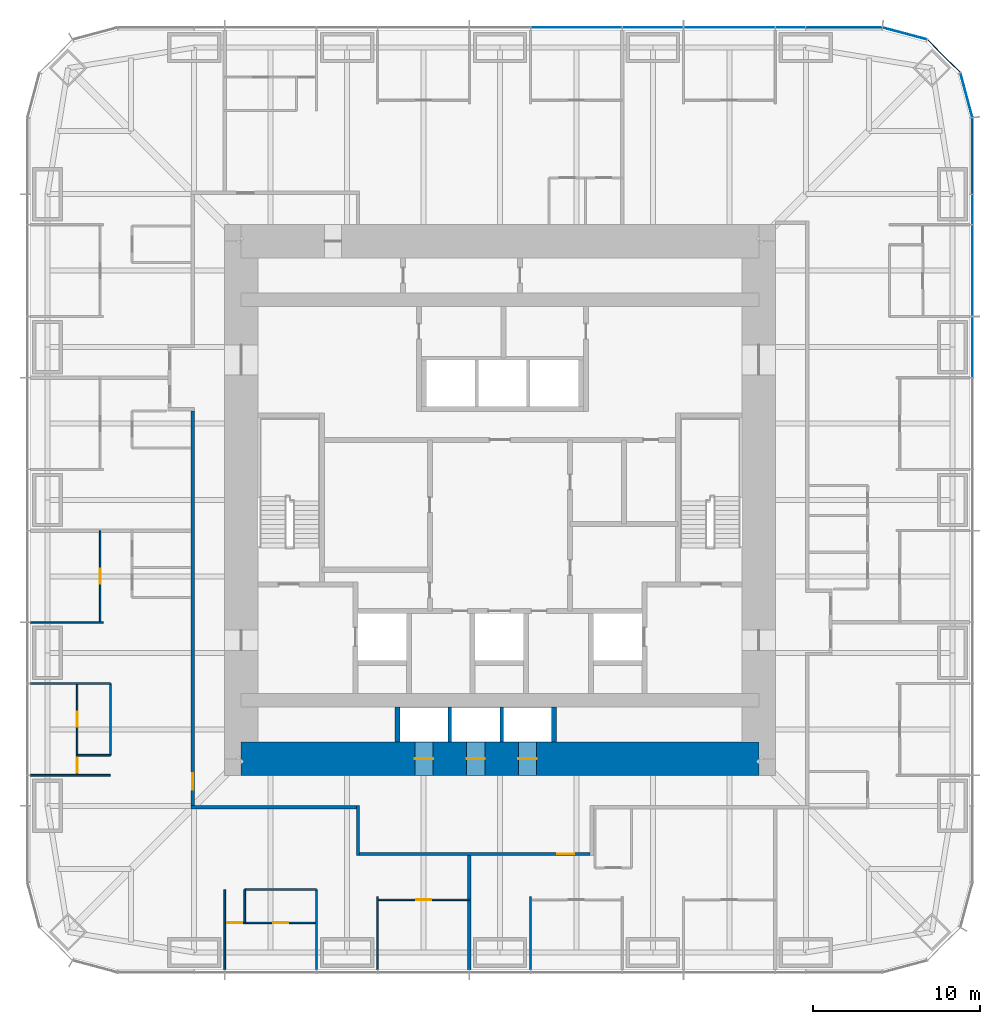
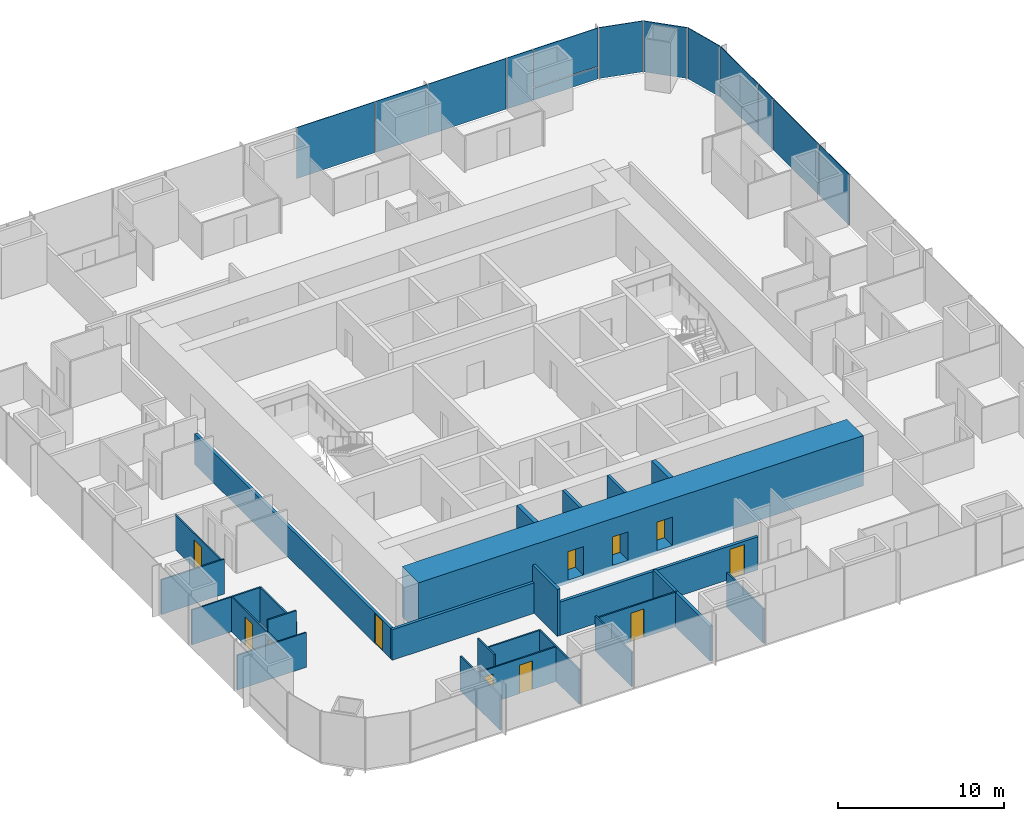
# One storey, part 7 of 12: 25 walls, 14 plates, 11 doors, 11 openings, 3 elements without a shape of their own.
"""IFC4 building model written with IfcOpenShell, lengths in metres."""

from ifc_helpers import new_model, si_unit, direction, frame, frame_2d, origin, origin_2d, place, context, subcontext, project, spatial, rectangle, extrude, material, layer, layer_set, type_object, element, fill, aggregate, save


model = new_model("IFC4")

# Units and contexts
model_context = context("Model", 3, precision=1e-05, world=origin(), true_north=direction((0.0, 1.0)))
body_context = subcontext(model_context, "Body", "Model", "MODEL_VIEW")
ifc_project = project(units=[si_unit("LENGTHUNIT", "METRE"), si_unit("AREAUNIT", "SQUARE_METRE"), si_unit("VOLUMEUNIT", "CUBIC_METRE"), si_unit("PLANEANGLEUNIT", "RADIAN"), si_unit("MASSUNIT", "GRAM", prefix="KILO")], contexts=[model_context])

# Site, building, storey
site_placement = place(None, origin())
site = spatial("IfcSite", under=ifc_project, at=site_placement, CompositionType="ELEMENT")
building_placement = place(site_placement, origin())
building = spatial("IfcBuilding", under=site, at=building_placement, Name="Khuree Lantern Residences", CompositionType="ELEMENT")
storey_placement = place(building_placement, frame((0.0, 0.0, 182.25)))
storey = spatial("IfcBuildingStorey", under=building, at=storey_placement, Name="L46", CompositionType="ELEMENT", Elevation=182.25)

# Curtain wall, plates
ifc_material_1 = material(Name="Bronze anodised aluminium", Category="aluminium")
curtain_wall_type_1 = type_object("IfcCurtainWallType", Name="CW-T2 TOWER CORNER CURTAIN WALL", PredefinedType="USERDEFINED", material=ifc_material_1)
curtain_wall_1_placement = place(storey_placement, origin())
curtain_wall_1 = element("IfcCurtainWall", 1, at=curtain_wall_1_placement, inside=storey, type_object=curtain_wall_type_1, Name="L46 NORTH-EAST CORNER CURTAIN WALL", ObjectType="Faceted corner curtain wall", PredefinedType="USERDEFINED")
ifc_material_2 = material(Name="Bronze tinted triple glazing", Category="glass")
ifc_layer_1 = layer(ifc_material_2, 0.048095703125)
ifc_layer_set_1 = layer_set([ifc_layer_1], Name="FACET PANEL P4")
plate_type_1 = type_object("IfcPlateType", Name="FACET PANEL P4", PredefinedType="CURTAIN_PANEL", material=ifc_layer_set_1)
plate_1_placement = place(storey_placement, frame((27.938720703125, 24.248046875, 0.0), z_axis=(0.0, 0.0, 1.0), x_axis=(-0.258819105321, 0.965925810153, 0.0)))
plate_1 = element("IfcPlate", 2, at=plate_1_placement, type_object=plate_type_1, Name="L46 NORTH-EAST CORNER PANEL 15.1", PredefinedType="CURTAIN_PANEL", context=body_context, shape_type="SweptSolid", body=[
    extrude(rectangle(XDim=2.71923828125, YDim=0.048095703125, at=origin_2d()), origin(), (0.0, 0.0, 1.0), 3.75),
])
plate_2_placement = place(storey_placement, frame((26.58837890625, 26.58837890625, 0.0), z_axis=(0.0, 0.0, 1.0), x_axis=(-0.707106781187, 0.707106781187, 0.0)))
plate_2 = element("IfcPlate", 3, at=plate_2_placement, type_object=plate_type_1, Name="L46 NORTH-EAST CORNER PANEL 16.1", PredefinedType="CURTAIN_PANEL", context=body_context, shape_type="SweptSolid", body=[
    extrude(rectangle(XDim=2.715087890625, YDim=0.048095703125, at=origin_2d()), origin(), (0.0, 0.0, 1.0), 3.75),
])
plate_3_placement = place(storey_placement, frame((24.248046875, 27.938720703125, 0.0), z_axis=(0.0, 0.0, 1.0), x_axis=(-0.965925810153, 0.258819105321, 0.0)))
plate_3 = element("IfcPlate", 4, at=plate_3_placement, type_object=plate_type_1, Name="L46 NORTH-EAST CORNER PANEL 17.1", PredefinedType="CURTAIN_PANEL", context=body_context, shape_type="SweptSolid", body=[
    extrude(rectangle(XDim=2.71923828125, YDim=0.048095703125, at=origin_2d()), origin(), (0.0, 0.0, 1.0), 3.75),
])
aggregate(curtain_wall_1, [plate_1, plate_2, plate_3])

# Curtain wall, plate
curtain_wall_type_2 = type_object("IfcCurtainWallType", Name="CW-T1 TOWER FACE CURTAIN WALL", PredefinedType="USERDEFINED", material=ifc_material_1)
curtain_wall_2_placement = place(storey_placement, origin())
curtain_wall_2 = element("IfcCurtainWall", 5, at=curtain_wall_2_placement, inside=storey, type_object=curtain_wall_type_2, Name="L46 EAST FACE CURTAIN WALL", ObjectType="Stick-built curtain wall", PredefinedType="USERDEFINED")
ifc_material_3 = material(Name="Bronze tinted triple glazing with a ceramic-fritted spandrel band", Category="glass")
ifc_layer_2 = layer(ifc_material_3, 0.048095703125)
ifc_layer_set_2 = layer_set([ifc_layer_2], Name="FIXED LIGHT PANEL P11")
plate_type_2 = type_object("IfcPlateType", Name="FIXED LIGHT PANEL P11", PredefinedType="CURTAIN_PANEL", material=ifc_layer_set_2)
plate_4_placement = place(storey_placement, frame((28.300048828125, 13.739990234375, 0.0), z_axis=(0.0, 0.0, 1.0), x_axis=(0.0, 1.0, 0.0)))
plate_4 = element("IfcPlate", 6, at=plate_4_placement, type_object=plate_type_2, Name="L46 EAST FACE PANEL 12.1", PredefinedType="CURTAIN_PANEL", context=body_context, shape_type="SweptSolid", body=[
    extrude(rectangle(XDim=5.430908203125, YDim=0.048095703125, at=origin_2d()), origin(), (0.0, 0.0, 1.0), 3.75),
])

# Curtain wall, plates
curtain_wall_3_placement = place(storey_placement, origin())
curtain_wall_3 = element("IfcCurtainWall", 7, at=curtain_wall_3_placement, inside=storey, type_object=curtain_wall_type_2, Name="L46 NORTH FACE CURTAIN WALL", ObjectType="Stick-built curtain wall", PredefinedType="USERDEFINED")
plate_5_placement = place(storey_placement, frame((13.739990234375, 28.300048828125, 0.0), z_axis=(0.0, 0.0, 1.0), x_axis=(-1.0, 0.0, 0.0)))
plate_5 = element("IfcPlate", 8, at=plate_5_placement, type_object=plate_type_2, Name="L46 NORTH FACE PANEL 20.1", PredefinedType="CURTAIN_PANEL", context=body_context, shape_type="SweptSolid", body=[
    extrude(rectangle(XDim=5.430908203125, YDim=0.048095703125, at=origin_2d()), origin(), (0.0, 0.0, 1.0), 3.75),
])
plate_6_placement = place(storey_placement, frame((4.580078125, 28.300048828125, 0.0), z_axis=(0.0, 0.0, 1.0), x_axis=(-1.0, 0.0, 0.0)))
plate_6 = element("IfcPlate", 9, at=plate_6_placement, type_object=plate_type_2, Name="L46 NORTH FACE PANEL 22.1", PredefinedType="CURTAIN_PANEL", context=body_context, shape_type="SweptSolid", body=[
    extrude(rectangle(XDim=5.430908203125, YDim=0.048095703125, at=origin_2d()), origin(), (0.0, 0.0, 1.0), 3.75),
])

# Plate
ifc_material_4 = material(Name="Bronze tinted triple glazing, two aluminium-framed sashes in one frame", Category="aluminium")
ifc_layer_3 = layer(ifc_material_4, 0.048095703125)
ifc_layer_set_3 = layer_set([ifc_layer_3], Name="SASH PAIR PANEL P12")
plate_type_3 = type_object("IfcPlateType", Name="SASH PAIR PANEL P12", PredefinedType="CURTAIN_PANEL", material=ifc_layer_set_3)
plate_7_placement = place(storey_placement, frame((28.300048828125, 9.159912109375, 0.0), z_axis=(0.0, 0.0, 1.0), x_axis=(0.0, 1.0, 0.0)))
plate_7 = element("IfcPlate", 10, at=plate_7_placement, type_object=plate_type_3, Name="L46 EAST FACE PANEL 11.1", PredefinedType="CURTAIN_PANEL", context=body_context, shape_type="SweptSolid", body=[
    extrude(rectangle(XDim=3.59912109375, YDim=0.048095703125, at=origin_2d()), origin(), (0.0, 0.0, 1.0), 3.75),
])

plate_8_placement = place(storey_placement, frame((9.159912109375, 28.300048828125, 0.0), z_axis=(0.0, 0.0, 1.0), x_axis=(-1.0, 0.0, 0.0)))
plate_8 = element("IfcPlate", 11, at=plate_8_placement, type_object=plate_type_3, Name="L46 NORTH FACE PANEL 21.1", PredefinedType="CURTAIN_PANEL", context=body_context, shape_type="SweptSolid", body=[
    extrude(rectangle(XDim=3.59912109375, YDim=0.048095703125, at=origin_2d()), origin(), (0.0, 0.0, 1.0), 3.75),
])

ifc_material_5 = material(Name="Bronze tinted triple glazing, aluminium-framed sash", Category="aluminium")
ifc_layer_4 = layer(ifc_material_5, 0.048095703125)
ifc_layer_set_4 = layer_set([ifc_layer_4], Name="SASH PANEL P3")
plate_type_4 = type_object("IfcPlateType", Name="SASH PANEL P3", PredefinedType="CURTAIN_PANEL", material=ifc_layer_set_4)
plate_9_placement = place(storey_placement, frame((28.300048828125, 17.404052734375, 0.0), z_axis=(0.0, 0.0, 1.0), x_axis=(0.0, 1.0, 0.0)))
plate_9 = element("IfcPlate", 12, at=plate_9_placement, type_object=plate_type_4, Name="L46 EAST FACE PANEL 13.1", PredefinedType="CURTAIN_PANEL", context=body_context, shape_type="SweptSolid", body=[
    extrude(rectangle(XDim=1.76708984375, YDim=0.048095703125, at=origin_2d()), origin(), (0.0, 0.0, 1.0), 3.75),
])

plate_10_placement = place(storey_placement, frame((17.404052734375, 28.300048828125, 0.0), z_axis=(0.0, 0.0, 1.0), x_axis=(-1.0, 0.0, 0.0)))
plate_10 = element("IfcPlate", 13, at=plate_10_placement, type_object=plate_type_4, Name="L46 NORTH FACE PANEL 19.1", PredefinedType="CURTAIN_PANEL", context=body_context, shape_type="SweptSolid", body=[
    extrude(rectangle(XDim=1.76708984375, YDim=0.048095703125, at=origin_2d()), origin(), (0.0, 0.0, 1.0), 3.75),
])

ifc_material_6 = material(Name="Bronze anodised aluminium insulated spandrel", Category="aluminium")
ifc_layer_5 = layer(ifc_material_6, 0.06005859375)
ifc_layer_set_5 = layer_set([ifc_layer_5], Name="SPANDREL PANEL P2")
plate_type_5 = type_object("IfcPlateType", Name="SPANDREL PANEL P2", PredefinedType="CURTAIN_PANEL", material=ifc_layer_set_5)
plate_11_placement = place(storey_placement, frame((28.300048828125, 20.60791015625, 0.0), z_axis=(0.0, 0.0, 1.0), x_axis=(0.0, 1.0, 0.0)))
plate_11 = element("IfcPlate", 14, at=plate_11_placement, type_object=plate_type_5, Name="L46 EAST FACE PANEL 14.1", PredefinedType="CURTAIN_PANEL", context=body_context, shape_type="SweptSolid", body=[
    extrude(rectangle(XDim=4.5107421875, YDim=0.06005859375, at=origin_2d()), origin(), (0.0, 0.0, 1.0), 0.867431640625),
])

plate_12_placement = place(storey_placement, frame((20.60791015625, 28.300048828125, 0.0), z_axis=(0.0, 0.0, 1.0), x_axis=(-1.0, 0.0, 0.0)))
plate_12 = element("IfcPlate", 15, at=plate_12_placement, type_object=plate_type_5, Name="L46 NORTH FACE PANEL 18.1", PredefinedType="CURTAIN_PANEL", context=body_context, shape_type="SweptSolid", body=[
    extrude(rectangle(XDim=4.5107421875, YDim=0.06005859375, at=origin_2d()), origin(), (0.0, 0.0, 1.0), 0.867431640625),
])

ifc_layer_6 = layer(ifc_material_2, 0.048095703125)
ifc_layer_set_6 = layer_set([ifc_layer_6], Name="VISION PANEL P1")
plate_type_6 = type_object("IfcPlateType", Name="VISION PANEL P1", PredefinedType="CURTAIN_PANEL", material=ifc_layer_set_6)
plate_13_placement = place(storey_placement, frame((28.300048828125, 20.6083984375, 0.9326171875), z_axis=(0.0, 0.0, 1.0), x_axis=(0.0, 1.0, 0.0)))
plate_13 = element("IfcPlate", 16, at=plate_13_placement, type_object=plate_type_6, Name="L46 EAST FACE PANEL 14.2", PredefinedType="CURTAIN_PANEL", context=body_context, shape_type="SweptSolid", body=[
    extrude(rectangle(XDim=4.511474609375, YDim=0.048095703125, at=origin_2d()), origin(), (0.0, 0.0, 1.0), 2.8173828125),
])

aggregate(curtain_wall_2, [plate_7, plate_4, plate_9, plate_11, plate_13])

plate_14_placement = place(storey_placement, frame((20.6083984375, 28.300048828125, 0.9326171875), z_axis=(0.0, 0.0, 1.0), x_axis=(-1.0, 0.0, 0.0)))
plate_14 = element("IfcPlate", 17, at=plate_14_placement, type_object=plate_type_6, Name="L46 NORTH FACE PANEL 18.2", PredefinedType="CURTAIN_PANEL", context=body_context, shape_type="SweptSolid", body=[
    extrude(rectangle(XDim=4.511474609375, YDim=0.048095703125, at=origin_2d()), origin(), (0.0, 0.0, 1.0), 2.8173828125),
])

aggregate(curtain_wall_3, [plate_12, plate_14, plate_10, plate_5, plate_8, plate_6])

# Walls
ifc_material_7 = material(Name="Moisture-resistant gypsum board on steel studs", Category="steel")
ifc_layer_7 = layer(ifc_material_7, 0.125)
ifc_layer_set_7 = layer_set([ifc_layer_7], Name="BATHROOM WALL BTW125")
wall_type_1 = type_object("IfcWallType", Name="BATHROOM WALL BTW125", PredefinedType="PARTITIONING", material=ifc_layer_set_7)
wall_1_placement = place(storey_placement, frame((-23.329833984375, -10.991943359375, 0.0), z_axis=(0.0, 0.0, 1.0), x_axis=(0.0, -1.0, 0.0)))
element("IfcWall", 18, at=wall_1_placement, inside=storey, type_object=wall_type_1, Name="L46 BATHROOM WALL 05", PredefinedType="PARTITIONING", context=body_context, shape_type="SweptSolid", body=[
    extrude(rectangle(XDim=4.296142578125, YDim=0.125, at=frame_2d((2.14794921875, 0.0))), origin(), (0.0, 0.0, 1.0), 2.56005859375),
])
ifc_material_8 = material(Name="Dense concrete blockwork", Category="masonry")
ifc_layer_8 = layer(ifc_material_8, 0.300048828125)
ifc_layer_set_8 = layer_set([ifc_layer_8], Name="CORE PARTITION WALL CPW300 EI 120")
wall_type_2 = type_object("IfcWallType", Name="CORE PARTITION WALL CPW300 EI 120", PredefinedType="PARTITIONING", material=ifc_layer_set_8)
for number, where, z_axis, x_axis, name in (
    (19, (-6.14990234375, -14.5, 0.0), (0.0, 0.0, 1.0), (0.0, 1.0, 0.0), "L46 CORE WALL PMW"),
    (20, (3.25, -14.5, 0.0), (0.0, 0.0, 1.0), (0.0, 1.0, 0.0), "L46 CORE WALL PME"),
):
    element("IfcWall", number, at=place(storey_placement, frame(where, z_axis=z_axis, x_axis=x_axis)), inside=storey, type_object=wall_type_2, Name=name, PredefinedType="PARTITIONING", context=body_context, shape_type="SweptSolid", body=[
        extrude(rectangle(XDim=2.10009765625, YDim=0.300048828125, at=frame_2d((1.050048828125, 0.0))), origin(), (0.0, 0.0, 1.0), 3.449951171875),
    ])

# Wall, opening, door
ifc_material_9 = material(Name="Gypsum board on steel studs", Category="steel")
ifc_layer_9 = layer(ifc_material_9, 0.199951171875)
ifc_layer_set_9 = layer_set([ifc_layer_9], Name="CORRIDOR WALL CRW200 EI 60")
wall_type_3 = type_object("IfcWallType", Name="CORRIDOR WALL CRW200 EI 60", PredefinedType="PARTITIONING", material=ifc_layer_set_9)
wall_2_placement = place(storey_placement, frame((-18.39990234375, 5.327880859375, 0.0), z_axis=(0.0, 0.0, 1.0), x_axis=(0.0, -1.0, 0.0)))
wall_2 = element("IfcWall", 21, at=wall_2_placement, inside=storey, type_object=wall_type_3, Name="L46 CORRIDOR WALL WEST 2", PredefinedType="PARTITIONING", context=body_context, shape_type="SweptSolid", body=[
    extrude(rectangle(XDim=23.6279296875, YDim=0.199951171875, at=frame_2d((11.81396484375, 0.0))), origin(), (0.0, 0.0, 1.0), 2.25),
])
opening_1_placement = place(wall_2_placement, frame((21.679931640625, 0.0, 0.0)))
opening_1 = element("IfcOpeningElement", 22, at=opening_1_placement, cuts=wall_2, Name="Opening 46-056", PredefinedType="OPENING", context=body_context, shape_type="SweptSolid", body=[
    extrude(rectangle(XDim=1.0, YDim=2.199951171875, at=frame_2d((0.5, 1.10009765625))), frame((0.0, 0.10986328125, 0.0), z_axis=(0.0, -1.0, 0.0), x_axis=(1.0, 0.0, 0.0)), (0.0, 0.0, 1.0), 0.219970703125),
])
ifc_material_10 = material(Name="Timber door leaf in hardwood frame", Category="wood")
door_type_1 = type_object("IfcDoorType", Name="APARTMENT ENTRANCE DOOR 1000X2200 EI 30S RIGHT HAND", OperationType="SINGLE_SWING_RIGHT", PredefinedType="DOOR", material=ifc_material_10)
door_1_placement = place(opening_1_placement, origin())
door_1 = element("IfcDoor", 23, at=door_1_placement, inside=storey, type_object=door_type_1, Name="Apartment 05 entrance door 46-056", OperationType="SINGLE_SWING_RIGHT", OverallHeight=2.199951171875, OverallWidth=1.0, PredefinedType="DOOR", context=body_context, shape_type="SweptSolid", body=[
    extrude(rectangle(XDim=1.0, YDim=2.199951171875, at=frame_2d((0.5, 1.10009765625))), frame((0.0, 0.02490234375, 0.0), z_axis=(0.0, -1.0, 0.0), x_axis=(1.0, 0.0, 0.0)), (0.0, 0.0, 1.0), 0.050048828125),
])
fill(opening_1, door_1)

# Wall
wall_3_placement = place(storey_placement, frame((-8.5, -18.300048828125, 0.0), z_axis=(0.0, 0.0, 1.0), x_axis=(0.0, -1.0, 0.0)))
element("IfcWall", 24, at=wall_3_placement, inside=storey, type_object=wall_type_3, Name="L46 LIFT LOBBY WALL", PredefinedType="PARTITIONING", context=body_context, shape_type="SweptSolid", body=[
    extrude(rectangle(XDim=3.0, YDim=0.199951171875, at=frame_2d((1.5, 0.0))), origin(), (0.0, 0.0, 1.0), 3.449951171875),
])

# Wall, opening, door
wall_4_placement = place(storey_placement, frame((5.39990234375, -21.199951171875, 0.0), z_axis=(0.0, 0.0, 1.0), x_axis=(-1.0, 0.0, 0.0)))
wall_4 = element("IfcWall", 25, at=wall_4_placement, inside=storey, type_object=wall_type_3, Name="L46 LIFT LOBBY WALL", PredefinedType="PARTITIONING", context=body_context, shape_type="SweptSolid", body=[
    extrude(rectangle(XDim=13.7998046875, YDim=0.199951171875, at=frame_2d((6.89990234375, 0.0))), origin(), (0.0, 0.0, 1.0), 2.449951171875),
])
opening_2_placement = place(wall_4_placement, frame((0.9619140625, 0.0, 0.0)))
opening_2 = element("IfcOpeningElement", 26, at=opening_2_placement, cuts=wall_4, Name="Opening 46-060", PredefinedType="OPENING", context=body_context, shape_type="SweptSolid", body=[
    extrude(rectangle(XDim=1.0, YDim=2.199951171875, at=frame_2d((0.5, 1.10009765625))), frame((0.0, 0.10986328125, 0.0), z_axis=(0.0, -1.0, 0.0), x_axis=(1.0, 0.0, 0.0)), (0.0, 0.0, 1.0), 0.219970703125),
])
door_type_2 = type_object("IfcDoorType", Name="APARTMENT ENTRANCE DOOR 1000X2200 EI 30S", OperationType="SINGLE_SWING_LEFT", PredefinedType="DOOR", material=ifc_material_10)
door_2_placement = place(opening_2_placement, origin())
door_2 = element("IfcDoor", 27, at=door_2_placement, inside=storey, type_object=door_type_2, Name="Apartment 06 entrance door 46-060", OperationType="SINGLE_SWING_LEFT", OverallHeight=2.199951171875, OverallWidth=1.0, PredefinedType="DOOR", context=body_context, shape_type="SweptSolid", body=[
    extrude(rectangle(XDim=1.0, YDim=2.199951171875, at=frame_2d((0.5, 1.10009765625))), frame((0.0, 0.02490234375, 0.0), z_axis=(0.0, -1.0, 0.0), x_axis=(1.0, 0.0, 0.0)), (0.0, 0.0, 1.0), 0.050048828125),
])
fill(opening_2, door_2)

# Wall
wall_5_placement = place(storey_placement, frame((-8.60009765625, -18.39990234375, 0.0), z_axis=(0.0, 0.0, 1.0), x_axis=(-1.0, 0.0, 0.0)))
element("IfcWall", 28, at=wall_5_placement, inside=storey, type_object=wall_type_3, Name="L46 CORRIDOR WALL SOUTH 2", PredefinedType="PARTITIONING", context=body_context, shape_type="SweptSolid", body=[
    extrude(rectangle(XDim=9.89990234375, YDim=0.199951171875, at=frame_2d((4.949951171875, 0.0))), origin(), (0.0, 0.0, 1.0), 2.25),
])

# Wall, openings, doors
ifc_material_11 = material(Name="Concrete C70/85", Category="concrete")
ifc_layer_10 = layer(ifc_material_11, 2.0)
ifc_layer_set_10 = layer_set([ifc_layer_10], Name="CW2000-C70 CORE WALL C70 2000")
wall_type_4 = type_object("IfcWallType", Name="CW2000-C70 CORE WALL C70 2000", PredefinedType="SHEAR", material=ifc_layer_set_10)
wall_6_placement = place(storey_placement, frame((-15.5, -15.5, -0.25), z_axis=(0.0, 0.0, 1.0), x_axis=(1.0, 0.0, 0.0)))
wall_6 = element("IfcWall", 29, at=wall_6_placement, inside=storey, type_object=wall_type_4, Name="Core wall S", PredefinedType="SHEAR", context=body_context, shape_type="SweptSolid", body=[
    extrude(rectangle(XDim=31.0, YDim=2.0, at=frame_2d((15.5, 0.0))), origin(), (0.0, 0.0, 1.0), 3.699951171875),
])
opening_3_placement = place(wall_6_placement, frame((10.39990234375, 0.0, 0.25)))
opening_3 = element("IfcOpeningElement", 30, at=opening_3_placement, cuts=wall_6, Name="Opening 46-009", PredefinedType="OPENING", context=body_context, shape_type="SweptSolid", body=[
    extrude(rectangle(XDim=1.10009765625, YDim=2.10009765625, at=frame_2d((0.550048828125, 1.050048828125))), frame((0.0, 1.010009765625, 0.0), z_axis=(0.0, -1.0, 0.0), x_axis=(1.0, 0.0, 0.0)), (0.0, 0.0, 1.0), 2.02001953125),
])
opening_4_placement = place(wall_6_placement, frame((13.5, 0.0, 0.25)))
opening_4 = element("IfcOpeningElement", 31, at=opening_4_placement, cuts=wall_6, Name="Opening 46-010", PredefinedType="OPENING", context=body_context, shape_type="SweptSolid", body=[
    extrude(rectangle(XDim=1.10009765625, YDim=2.10009765625, at=frame_2d((0.550048828125, 1.050048828125))), frame((0.0, 1.010009765625, 0.0), z_axis=(0.0, -1.0, 0.0), x_axis=(1.0, 0.0, 0.0)), (0.0, 0.0, 1.0), 2.02001953125),
])
opening_5_placement = place(wall_6_placement, frame((16.60009765625, 0.0, 0.25)))
opening_5 = element("IfcOpeningElement", 32, at=opening_5_placement, cuts=wall_6, Name="Opening 46-011", PredefinedType="OPENING", context=body_context, shape_type="SweptSolid", body=[
    extrude(rectangle(XDim=1.10009765625, YDim=2.10009765625, at=frame_2d((0.550048828125, 1.050048828125))), frame((0.0, 1.010009765625, 0.0), z_axis=(0.0, -1.0, 0.0), x_axis=(1.0, 0.0, 0.0)), (0.0, 0.0, 1.0), 2.02001953125),
])
ifc_material_12 = material(Name="Stainless steel lift landing door", Category="steel")
door_type_3 = type_object("IfcDoorType", Name="LIFT LANDING DOOR 1100X2100 E 60", OperationType="DOUBLE_DOOR_SLIDING", PredefinedType="DOOR", material=ifc_material_12)
door_3_placement = place(opening_3_placement, origin())
door_3 = element("IfcDoor", 33, at=door_3_placement, inside=storey, type_object=door_type_3, Name="Landing door PM1 46-009", OperationType="DOUBLE_DOOR_SLIDING", OverallHeight=2.10009765625, OverallWidth=1.10009765625, PredefinedType="DOOR", context=body_context, shape_type="SweptSolid", body=[
    extrude(rectangle(XDim=1.10009765625, YDim=2.10009765625, at=frame_2d((0.550048828125, 1.050048828125))), frame((0.0, 0.02490234375, 0.0), z_axis=(0.0, -1.0, 0.0), x_axis=(1.0, 0.0, 0.0)), (0.0, 0.0, 1.0), 0.050048828125),
])
fill(opening_3, door_3)
door_4_placement = place(opening_4_placement, origin())
door_4 = element("IfcDoor", 34, at=door_4_placement, inside=storey, type_object=door_type_3, Name="Landing door PM2 46-010", OperationType="DOUBLE_DOOR_SLIDING", OverallHeight=2.10009765625, OverallWidth=1.10009765625, PredefinedType="DOOR", context=body_context, shape_type="SweptSolid", body=[
    extrude(rectangle(XDim=1.10009765625, YDim=2.10009765625, at=frame_2d((0.550048828125, 1.050048828125))), frame((0.0, 0.02490234375, 0.0), z_axis=(0.0, -1.0, 0.0), x_axis=(1.0, 0.0, 0.0)), (0.0, 0.0, 1.0), 0.050048828125),
])
fill(opening_4, door_4)
door_5_placement = place(opening_5_placement, origin())
door_5 = element("IfcDoor", 35, at=door_5_placement, inside=storey, type_object=door_type_3, Name="Landing door PM3 46-011", OperationType="DOUBLE_DOOR_SLIDING", OverallHeight=2.10009765625, OverallWidth=1.10009765625, PredefinedType="DOOR", context=body_context, shape_type="SweptSolid", body=[
    extrude(rectangle(XDim=1.10009765625, YDim=2.10009765625, at=frame_2d((0.550048828125, 1.050048828125))), frame((0.0, 0.02490234375, 0.0), z_axis=(0.0, -1.0, 0.0), x_axis=(1.0, 0.0, 0.0)), (0.0, 0.0, 1.0), 0.050048828125),
])
fill(opening_5, door_5)

# Walls
ifc_layer_11 = layer(ifc_material_9, 0.199951171875)
ifc_layer_set_11 = layer_set([ifc_layer_11], Name="DEMISING WALL DMW200 EI 90")
wall_type_5 = type_object("IfcWallType", Name="DEMISING WALL DMW200 EI 90", PredefinedType="PARTITIONING", material=ifc_layer_set_11)
wall_7_placement = place(storey_placement, frame((-1.83203125, -21.300048828125, 0.0), z_axis=(0.0, 0.0, 1.0), x_axis=(0.0, -1.0, 0.0)))
element("IfcWall", 36, at=wall_7_placement, inside=storey, type_object=wall_type_5, Name="L46 DEMISING WALL 06", PredefinedType="PARTITIONING", context=body_context, shape_type="SweptSolid", body=[
    extrude(rectangle(XDim=6.849853515625, YDim=0.199951171875, at=frame_2d((3.4248046875, 0.0))), origin(), (0.0, 0.0, 1.0), 2.56005859375),
])
ifc_layer_12 = layer(ifc_material_9, 0.10009765625)
ifc_layer_set_12 = layer_set([ifc_layer_12], Name="PARTITION PT100")
wall_type_6 = type_object("IfcWallType", Name="PARTITION PT100", PredefinedType="PARTITIONING", material=ifc_layer_set_12)
wall_8_placement = place(storey_placement, frame((-23.75, -7.327880859375, 0.0), z_axis=(0.0, 0.0, 1.0), x_axis=(-1.0, 0.0, 0.0)))
element("IfcWall", 37, at=wall_8_placement, inside=storey, type_object=wall_type_6, Name="L46 PARTITION 05", PredefinedType="PARTITIONING", context=body_context, shape_type="SweptSolid", body=[
    extrude(rectangle(XDim=4.39990234375, YDim=0.10009765625, at=frame_2d((2.199951171875, 0.0))), origin(), (0.0, 0.0, 1.0), 2.56005859375),
])
for number, where, z_axis, x_axis, name in (
    (38, (-23.329833984375, -10.991943359375, 0.0), (0.0, 0.0, 1.0), (-1.0, 0.0, 0.0), "L46 PARTITION 05"),
    (39, (-23.329833984375, -16.488037109375, 0.0), (0.0, 0.0, 1.0), (-1.0, 0.0, 0.0), "L46 PARTITION 05"),
    (40, (-16.488037109375, -23.329833984375, 0.0), (0.0, 0.0, 1.0), (0.0, -1.0, 0.0), "L46 PARTITION 05"),
    (41, (-10.991943359375, -23.329833984375, 0.0), (0.0, 0.0, 1.0), (0.0, -1.0, 0.0), "L46 PARTITION 05"),
):
    element("IfcWall", number, at=place(storey_placement, frame(where, z_axis=z_axis, x_axis=x_axis)), inside=storey, type_object=wall_type_6, Name=name, PredefinedType="PARTITIONING", context=body_context, shape_type="SweptSolid", body=[
        extrude(rectangle(XDim=4.820068359375, YDim=0.10009765625, at=frame_2d((2.41015625, 0.0))), origin(), (0.0, 0.0, 1.0), 2.56005859375),
    ])
for number, where, z_axis, x_axis, name in (
    (42, (-7.327880859375, -23.75, 0.0), (0.0, 0.0, 1.0), (0.0, -1.0, 0.0), "L46 PARTITION 05"),
    (43, (1.83203125, -23.75, 0.0), (0.0, 0.0, 1.0), (0.0, -1.0, 0.0), "L46 PARTITION 06"),
):
    element("IfcWall", number, at=place(storey_placement, frame(where, z_axis=z_axis, x_axis=x_axis)), inside=storey, type_object=wall_type_6, Name=name, PredefinedType="PARTITIONING", context=body_context, shape_type="SweptSolid", body=[
        extrude(rectangle(XDim=4.39990234375, YDim=0.10009765625, at=frame_2d((2.199951171875, 0.0))), origin(), (0.0, 0.0, 1.0), 2.56005859375),
    ])

# Wall, opening, door
wall_9_placement = place(storey_placement, frame((-23.949951171875, -1.83203125, 0.0), z_axis=(0.0, 0.0, 1.0), x_axis=(0.0, -1.0, 0.0)))
wall_9 = element("IfcWall", 44, at=wall_9_placement, inside=storey, type_object=wall_type_6, Name="L46 PARTITION 05", PredefinedType="PARTITIONING", context=body_context, shape_type="SweptSolid", body=[
    extrude(rectangle(XDim=5.495849609375, YDim=0.10009765625, at=frame_2d((2.748046875, 0.0))), origin(), (0.0, 0.0, 1.0), 2.56005859375),
])
opening_6_placement = place(wall_9_placement, frame((2.298095703125, 0.0, 0.0)))
opening_6 = element("IfcOpeningElement", 45, at=opening_6_placement, cuts=wall_9, Name="Opening 46-048", PredefinedType="OPENING", context=body_context, shape_type="SweptSolid", body=[
    extrude(rectangle(XDim=0.89990234375, YDim=2.10009765625, at=frame_2d((0.449951171875, 1.050048828125))), frame((0.0, 0.06005859375, 0.0), z_axis=(0.0, -1.0, 0.0), x_axis=(1.0, 0.0, 0.0)), (0.0, 0.0, 1.0), 0.1201171875),
])
door_type_4 = type_object("IfcDoorType", Name="BEDROOM DOOR 900X2100", OperationType="SINGLE_SWING_LEFT", PredefinedType="DOOR", material=ifc_material_10)
door_6_placement = place(opening_6_placement, origin())
door_6 = element("IfcDoor", 46, at=door_6_placement, inside=storey, type_object=door_type_4, Name="Bedroom door 46-048", OperationType="SINGLE_SWING_LEFT", OverallHeight=2.10009765625, OverallWidth=0.89990234375, PredefinedType="DOOR", context=body_context, shape_type="SweptSolid", body=[
    extrude(rectangle(XDim=0.89990234375, YDim=2.10009765625, at=frame_2d((0.449951171875, 1.050048828125))), frame((0.0, 0.02490234375, 0.0), z_axis=(0.0, -1.0, 0.0), x_axis=(1.0, 0.0, 0.0)), (0.0, 0.0, 1.0), 0.050048828125),
])
fill(opening_6, door_6)

# Wall, openings, doors
wall_10_placement = place(storey_placement, frame((-25.329833984375, -10.991943359375, 0.0), z_axis=(0.0, 0.0, 1.0), x_axis=(0.0, -1.0, 0.0)))
wall_10 = element("IfcWall", 47, at=wall_10_placement, inside=storey, type_object=wall_type_6, Name="L46 PARTITION 05", PredefinedType="PARTITIONING", context=body_context, shape_type="SweptSolid", body=[
    extrude(rectangle(XDim=5.49609375, YDim=0.10009765625, at=frame_2d((2.748046875, 0.0))), origin(), (0.0, 0.0, 1.0), 2.56005859375),
])
opening_7_placement = place(wall_10_placement, frame((4.446044921875, 0.0, 0.0)))
opening_7 = element("IfcOpeningElement", 48, at=opening_7_placement, cuts=wall_10, Name="Opening 46-049", PredefinedType="OPENING", context=body_context, shape_type="SweptSolid", body=[
    extrude(rectangle(XDim=0.89990234375, YDim=2.10009765625, at=frame_2d((0.449951171875, 1.050048828125))), frame((0.0, 0.06005859375, 0.0), z_axis=(0.0, -1.0, 0.0), x_axis=(1.0, 0.0, 0.0)), (0.0, 0.0, 1.0), 0.1201171875),
])
opening_8_placement = place(wall_10_placement, frame((1.697998046875, 0.0, 0.0)))
opening_8 = element("IfcOpeningElement", 49, at=opening_8_placement, cuts=wall_10, Name="Opening 46-050", PredefinedType="OPENING", context=body_context, shape_type="SweptSolid", body=[
    extrude(rectangle(XDim=0.89990234375, YDim=2.10009765625, at=frame_2d((0.449951171875, 1.050048828125))), frame((0.0, 0.06005859375, 0.0), z_axis=(0.0, -1.0, 0.0), x_axis=(1.0, 0.0, 0.0)), (0.0, 0.0, 1.0), 0.1201171875),
])
door_type_5 = type_object("IfcDoorType", Name="BATHROOM DOOR 900X2100", OperationType="SINGLE_SWING_LEFT", PredefinedType="DOOR", material=ifc_material_10)
door_7_placement = place(opening_8_placement, origin())
door_7 = element("IfcDoor", 50, at=door_7_placement, inside=storey, type_object=door_type_5, Name="Bathroom door 46-050", OperationType="SINGLE_SWING_LEFT", OverallHeight=2.10009765625, OverallWidth=0.89990234375, PredefinedType="DOOR", context=body_context, shape_type="SweptSolid", body=[
    extrude(rectangle(XDim=0.89990234375, YDim=2.10009765625, at=frame_2d((0.449951171875, 1.050048828125))), frame((0.0, 0.02490234375, 0.0), z_axis=(0.0, -1.0, 0.0), x_axis=(1.0, 0.0, 0.0)), (0.0, 0.0, 1.0), 0.050048828125),
])
fill(opening_8, door_7)
door_8_placement = place(opening_7_placement, origin())
door_8 = element("IfcDoor", 51, at=door_8_placement, inside=storey, type_object=door_type_4, Name="Bedroom door 46-049", OperationType="SINGLE_SWING_LEFT", OverallHeight=2.10009765625, OverallWidth=0.89990234375, PredefinedType="DOOR", context=body_context, shape_type="SweptSolid", body=[
    extrude(rectangle(XDim=0.89990234375, YDim=2.10009765625, at=frame_2d((0.449951171875, 1.050048828125))), frame((0.0, 0.02490234375, 0.0), z_axis=(0.0, -1.0, 0.0), x_axis=(1.0, 0.0, 0.0)), (0.0, 0.0, 1.0), 0.050048828125),
])
fill(opening_7, door_8)

# Wall
wall_11_placement = place(storey_placement, frame((-23.329833984375, -15.2880859375, 0.0), z_axis=(0.0, 0.0, 1.0), x_axis=(-1.0, 0.0, 0.0)))
element("IfcWall", 52, at=wall_11_placement, inside=storey, type_object=wall_type_6, Name="L46 PARTITION 05", PredefinedType="PARTITIONING", context=body_context, shape_type="SweptSolid", body=[
    extrude(rectangle(XDim=2.0, YDim=0.10009765625, at=frame_2d((1.0, 0.0))), origin(), (0.0, 0.0, 1.0), 3.449951171875),
])

# Wall, openings, doors
wall_12_placement = place(storey_placement, frame((-16.488037109375, -25.329833984375, 0.0), z_axis=(0.0, 0.0, 1.0), x_axis=(1.0, 0.0, 0.0)))
wall_12 = element("IfcWall", 53, at=wall_12_placement, inside=storey, type_object=wall_type_6, Name="L46 PARTITION 05", PredefinedType="PARTITIONING", context=body_context, shape_type="SweptSolid", body=[
    extrude(rectangle(XDim=5.49609375, YDim=0.10009765625, at=frame_2d((2.748046875, 0.0))), origin(), (0.0, 0.0, 1.0), 2.56005859375),
])
opening_9_placement = place(wall_12_placement, frame((0.14990234375, 0.0, 0.0)))
opening_9 = element("IfcOpeningElement", 54, at=opening_9_placement, cuts=wall_12, Name="Opening 46-051", PredefinedType="OPENING", context=body_context, shape_type="SweptSolid", body=[
    extrude(rectangle(XDim=0.89990234375, YDim=2.10009765625, at=frame_2d((0.449951171875, 1.050048828125))), frame((0.0, 0.06005859375, 0.0), z_axis=(0.0, -1.0, 0.0), x_axis=(1.0, 0.0, 0.0)), (0.0, 0.0, 1.0), 0.1201171875),
])
opening_10_placement = place(wall_12_placement, frame((2.89794921875, 0.0, 0.0)))
opening_10 = element("IfcOpeningElement", 55, at=opening_10_placement, cuts=wall_12, Name="Opening 46-052", PredefinedType="OPENING", context=body_context, shape_type="SweptSolid", body=[
    extrude(rectangle(XDim=0.89990234375, YDim=2.10009765625, at=frame_2d((0.449951171875, 1.050048828125))), frame((0.0, 0.06005859375, 0.0), z_axis=(0.0, -1.0, 0.0), x_axis=(1.0, 0.0, 0.0)), (0.0, 0.0, 1.0), 0.1201171875),
])
door_9_placement = place(opening_9_placement, origin())
door_9 = element("IfcDoor", 56, at=door_9_placement, inside=storey, type_object=door_type_4, Name="Bedroom door 46-051", OperationType="SINGLE_SWING_LEFT", OverallHeight=2.10009765625, OverallWidth=0.89990234375, PredefinedType="DOOR", context=body_context, shape_type="SweptSolid", body=[
    extrude(rectangle(XDim=0.89990234375, YDim=2.10009765625, at=frame_2d((0.449951171875, 1.050048828125))), frame((0.0, 0.02490234375, 0.0), z_axis=(0.0, -1.0, 0.0), x_axis=(1.0, 0.0, 0.0)), (0.0, 0.0, 1.0), 0.050048828125),
])
fill(opening_9, door_9)
door_type_6 = type_object("IfcDoorType", Name="DOOR 900X2100", OperationType="SINGLE_SWING_LEFT", PredefinedType="DOOR", material=ifc_material_10)
door_10_placement = place(opening_10_placement, origin())
door_10 = element("IfcDoor", 57, at=door_10_placement, inside=storey, type_object=door_type_6, Name="Wardrobe door 46-052", OperationType="SINGLE_SWING_LEFT", OverallHeight=2.10009765625, OverallWidth=0.89990234375, PredefinedType="DOOR", context=body_context, shape_type="SweptSolid", body=[
    extrude(rectangle(XDim=0.89990234375, YDim=2.10009765625, at=frame_2d((0.449951171875, 1.050048828125))), frame((0.0, 0.02490234375, 0.0), z_axis=(0.0, -1.0, 0.0), x_axis=(1.0, 0.0, 0.0)), (0.0, 0.0, 1.0), 0.050048828125),
])
fill(opening_10, door_10)

# Walls
wall_13_placement = place(storey_placement, frame((-15.2880859375, -23.329833984375, 0.0), z_axis=(0.0, 0.0, 1.0), x_axis=(0.0, -1.0, 0.0)))
element("IfcWall", 58, at=wall_13_placement, inside=storey, type_object=wall_type_6, Name="L46 PARTITION 05", PredefinedType="PARTITIONING", context=body_context, shape_type="SweptSolid", body=[
    extrude(rectangle(XDim=2.0, YDim=0.10009765625, at=frame_2d((1.0, 0.0))), origin(), (0.0, 0.0, 1.0), 3.449951171875),
])
wall_14_placement = place(storey_placement, frame((-15.2880859375, -23.329833984375, 0.0), z_axis=(0.0, 0.0, 1.0), x_axis=(1.0, 0.0, 0.0)))
element("IfcWall", 59, at=wall_14_placement, inside=storey, type_object=wall_type_6, Name="L46 PARTITION 05", PredefinedType="PARTITIONING", context=body_context, shape_type="SweptSolid", body=[
    extrude(rectangle(XDim=4.296142578125, YDim=0.10009765625, at=frame_2d((2.14794921875, 0.0))), origin(), (0.0, 0.0, 1.0), 2.56005859375),
])

# Wall, opening, door
wall_15_placement = place(storey_placement, frame((-7.327880859375, -23.949951171875, 0.0), z_axis=(0.0, 0.0, 1.0), x_axis=(1.0, 0.0, 0.0)))
wall_15 = element("IfcWall", 60, at=wall_15_placement, inside=storey, type_object=wall_type_6, Name="L46 PARTITION 05", PredefinedType="PARTITIONING", context=body_context, shape_type="SweptSolid", body=[
    extrude(rectangle(XDim=5.495849609375, YDim=0.10009765625, at=frame_2d((2.748046875, 0.0))), origin(), (0.0, 0.0, 1.0), 2.56005859375),
])
opening_11_placement = place(wall_15_placement, frame((2.298095703125, 0.0, 0.0)))
opening_11 = element("IfcOpeningElement", 61, at=opening_11_placement, cuts=wall_15, Name="Opening 46-053", PredefinedType="OPENING", context=body_context, shape_type="SweptSolid", body=[
    extrude(rectangle(XDim=0.89990234375, YDim=2.10009765625, at=frame_2d((0.449951171875, 1.050048828125))), frame((0.0, 0.06005859375, 0.0), z_axis=(0.0, -1.0, 0.0), x_axis=(1.0, 0.0, 0.0)), (0.0, 0.0, 1.0), 0.1201171875),
])
door_type_7 = type_object("IfcDoorType", Name="BEDROOM DOOR 900X2100 RIGHT HAND", OperationType="SINGLE_SWING_RIGHT", PredefinedType="DOOR", material=ifc_material_10)
door_11_placement = place(opening_11_placement, origin())
door_11 = element("IfcDoor", 62, at=door_11_placement, inside=storey, type_object=door_type_7, Name="Bedroom door 46-053", OperationType="SINGLE_SWING_RIGHT", OverallHeight=2.10009765625, OverallWidth=0.89990234375, PredefinedType="DOOR", context=body_context, shape_type="SweptSolid", body=[
    extrude(rectangle(XDim=0.89990234375, YDim=2.10009765625, at=frame_2d((0.449951171875, 1.050048828125))), frame((0.0, 0.02490234375, 0.0), z_axis=(0.0, -1.0, 0.0), x_axis=(1.0, 0.0, 0.0)), (0.0, 0.0, 1.0), 0.050048828125),
])
fill(opening_11, door_11)

# Walls
ifc_layer_13 = layer(ifc_material_8, 0.199951171875)
ifc_layer_set_13 = layer_set([ifc_layer_13], Name="SHAFT WALL SHW200 EI 120")
wall_type_7 = type_object("IfcWallType", Name="SHAFT WALL SHW200 EI 120", PredefinedType="PARTITIONING", material=ifc_layer_set_13)
for number, where, z_axis, x_axis, name in (
    (63, (-3.0, -14.5, 0.0), (0.0, 0.0, 1.0), (0.0, 1.0, 0.0), "L46 CORE WALL PMD1"),
    (64, (0.10009765625, -14.5, 0.0), (0.0, 0.0, 1.0), (0.0, 1.0, 0.0), "L46 CORE WALL PMD2"),
):
    element("IfcWall", number, at=place(storey_placement, frame(where, z_axis=z_axis, x_axis=x_axis)), inside=storey, type_object=wall_type_7, Name=name, PredefinedType="PARTITIONING", context=body_context, shape_type="SweptSolid", body=[
        extrude(rectangle(XDim=2.10009765625, YDim=0.199951171875, at=frame_2d((1.050048828125, 0.0))), origin(), (0.0, 0.0, 1.0), 3.449951171875),
    ])

save(model, "model.ifc")
